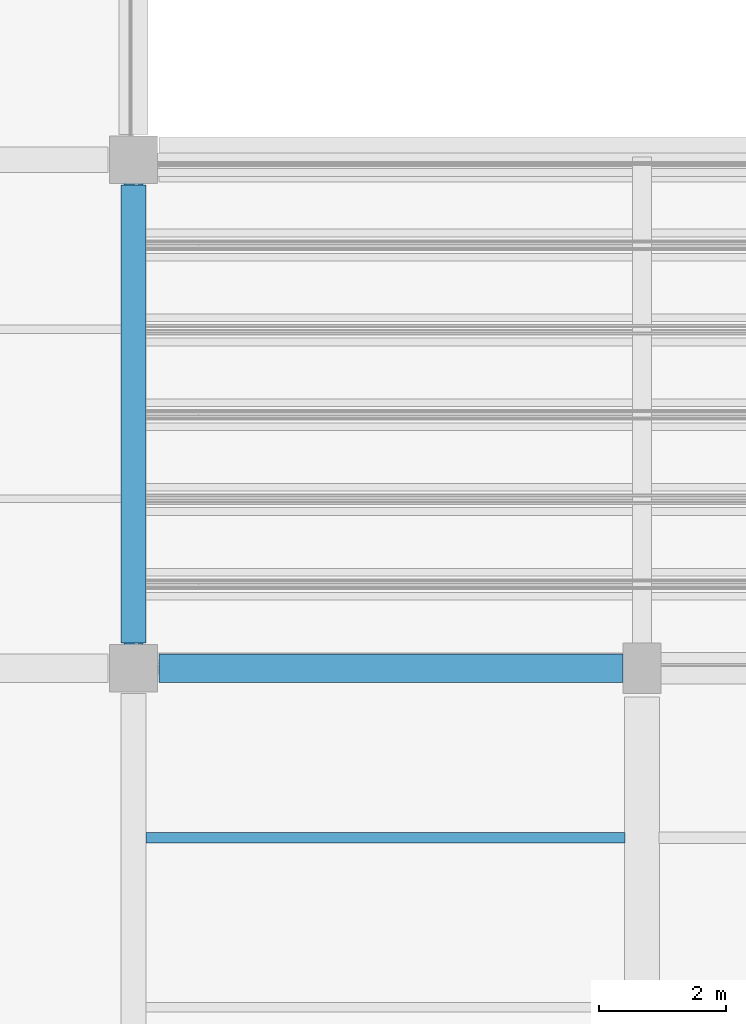
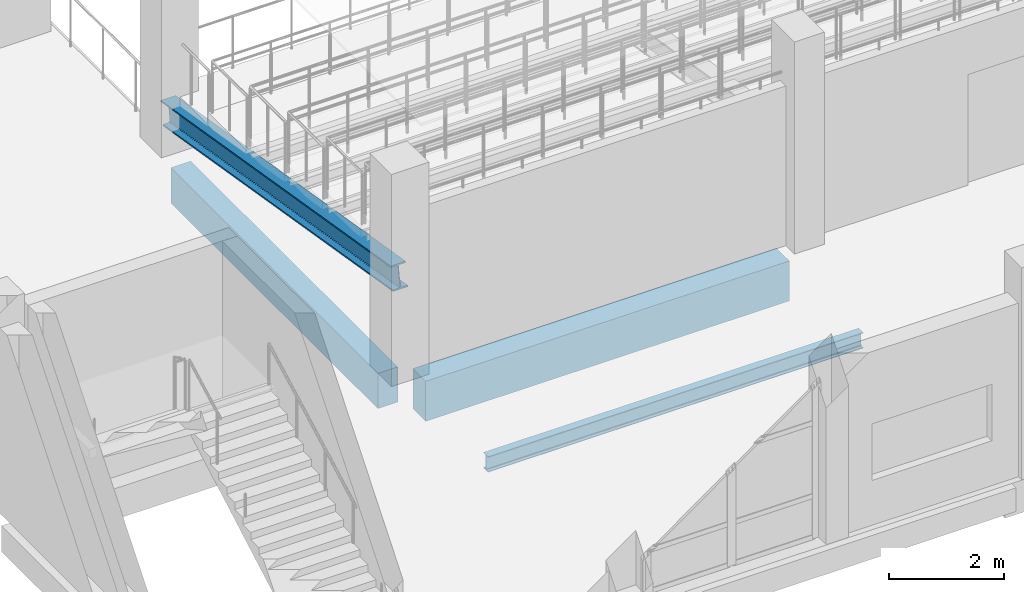
# One storey, part 39 of 183: 4 beams.
"""IFC4 building model written with IfcOpenShell, lengths in metres."""

from ifc_helpers import new_model, si_unit, direction, frame, origin, origin_2d, place, context, subcontext, project, spatial, rectangle, i_section, extrude, material, material_profile, profile_set, type_object, element, save


model = new_model("IFC4")

# Units and contexts
model_context = context("Model", 3, precision=1e-05, world=origin(), true_north=direction((0.0, 1.0)))
body_context = subcontext(model_context, "Body", "Model", "MODEL_VIEW")
ifc_project = project(units=[si_unit("LENGTHUNIT", "METRE"), si_unit("AREAUNIT", "SQUARE_METRE"), si_unit("VOLUMEUNIT", "CUBIC_METRE"), si_unit("PLANEANGLEUNIT", "RADIAN"), si_unit("MASSUNIT", "GRAM", prefix="KILO")], contexts=[model_context])

# Site, building, storey
site_placement = place(None, origin())
site = spatial("IfcSite", under=ifc_project, at=site_placement, CompositionType="ELEMENT")
building_placement = place(site_placement, origin())
building = spatial("IfcBuilding", under=site, at=building_placement, Name="Luwemba Playhouse", CompositionType="ELEMENT")
storey_placement = place(building_placement, frame((0.0, 0.0, 4.800048828125)))
storey = spatial("IfcBuildingStorey", under=building, at=storey_placement, Name="L01", CompositionType="ELEMENT", Elevation=4.800048828125)

# Beams
ifc_material_1 = material(Name="Concrete C40/50", Category="concrete")
ifc_material_profile_1 = material_profile(ifc_material_1, rectangle(XDim=0.39990234375, YDim=0.75, at=origin_2d()))
ifc_profile_set_1 = profile_set([ifc_material_profile_1], Name="Concrete C40/50")
beam_type_1 = type_object("IfcBeamType", Name="BM-RB03", PredefinedType="BEAM", material=ifc_profile_set_1)
beam_1_placement = place(storey_placement, frame((12.0, 44.39990234375, -0.625), z_axis=(0.0, 1.0, 0.0), x_axis=(-1.0, 0.0, 0.0)))
element("IfcBeam", 1, at=beam_1_placement, inside=storey, type_object=beam_type_1, Name="L01 transverse girder 0361", PredefinedType="BEAM", context=body_context, shape_type="SweptSolid", body=[
    extrude(rectangle(XDim=0.39990234375, YDim=0.75, at=origin_2d()), origin(), (0.0, 0.0, 1.0), 7.2001953125),
])
ifc_material_profile_2 = material_profile(ifc_material_1, rectangle(XDim=0.449951171875, YDim=0.85009765625, at=origin_2d()))
ifc_profile_set_2 = profile_set([ifc_material_profile_2], Name="Concrete C40/50")
beam_type_2 = type_object("IfcBeamType", Name="BM-RB05", PredefinedType="BEAM", material=ifc_profile_set_2)
beam_2_placement = place(storey_placement, frame((12.39990234375, 44.0, -0.675048828125), z_axis=(1.0, 0.0, 0.0), x_axis=(0.0, 1.0, 0.0)))
element("IfcBeam", 2, at=beam_2_placement, inside=storey, type_object=beam_type_2, Name="L01 grid girder 0346", PredefinedType="BEAM", context=body_context, shape_type="SweptSolid", body=[
    extrude(rectangle(XDim=0.449951171875, YDim=0.85009765625, at=origin_2d()), origin(), (0.0, 0.0, 1.0), 7.300048828125),
])
ifc_material_2 = material(Name="Steel S355", Category="steel")
ifc_material_profile_3 = material_profile(ifc_material_2, i_section(OverallWidth=0.300048828125, OverallDepth=0.5, WebThickness=0.014404296875, FlangeThickness=0.028076171875, FilletRadius=0.027099609375, at=origin_2d()))
ifc_profile_set_3 = profile_set([ifc_material_profile_3], Name="Steel S355")
beam_type_3 = type_object("IfcBeamType", Name="BM-RK3", PredefinedType="USERDEFINED", material=ifc_profile_set_3)
beam_3_placement = place(storey_placement, frame((12.0, 44.0, 1.97998046875), z_axis=(0.0, 0.986395550941, -0.164389224356), x_axis=(-1.0, 0.0, 0.0)))
element("IfcBeam", 3, at=beam_3_placement, inside=storey, type_object=beam_type_3, Name="RAKER girder Dress Circle 06", ObjectType="RAKER", PredefinedType="USERDEFINED", context=body_context, shape_type="SweptSolid", body=[
    extrude(i_section(OverallWidth=0.300048828125, OverallDepth=0.5, WebThickness=0.014404296875, FlangeThickness=0.028076171875, FilletRadius=0.027099609375, at=origin_2d()), origin(), (0.0, 0.0, 1.0), 8.1103515625),
])
ifc_material_profile_4 = material_profile(ifc_material_2, i_section(OverallWidth=0.159912109375, OverallDepth=0.330078125, WebThickness=0.007568359375, FlangeThickness=0.011474609375, FilletRadius=0.01806640625, at=origin_2d()))
ifc_profile_set_4 = profile_set([ifc_material_profile_4], Name="Steel S355")
beam_type_4 = type_object("IfcBeamType", Name="BM-SJ06", PredefinedType="JOIST", material=ifc_profile_set_4)
beam_4_placement = place(storey_placement, frame((12.196044921875, 41.333251953125, -0.4150390625), z_axis=(1.0, 0.0, 0.0), x_axis=(0.0, 1.0, 0.0)))
element("IfcBeam", 4, at=beam_4_placement, inside=storey, type_object=beam_type_4, Name="L01 composite floor joist 0241", PredefinedType="JOIST", context=body_context, shape_type="SweptSolid", body=[
    extrude(i_section(OverallWidth=0.159912109375, OverallDepth=0.330078125, WebThickness=0.007568359375, FlangeThickness=0.011474609375, FilletRadius=0.01806640625, at=origin_2d()), origin(), (0.0, 0.0, 1.0), 7.532958984375),
])

save(model, "model.ifc")
